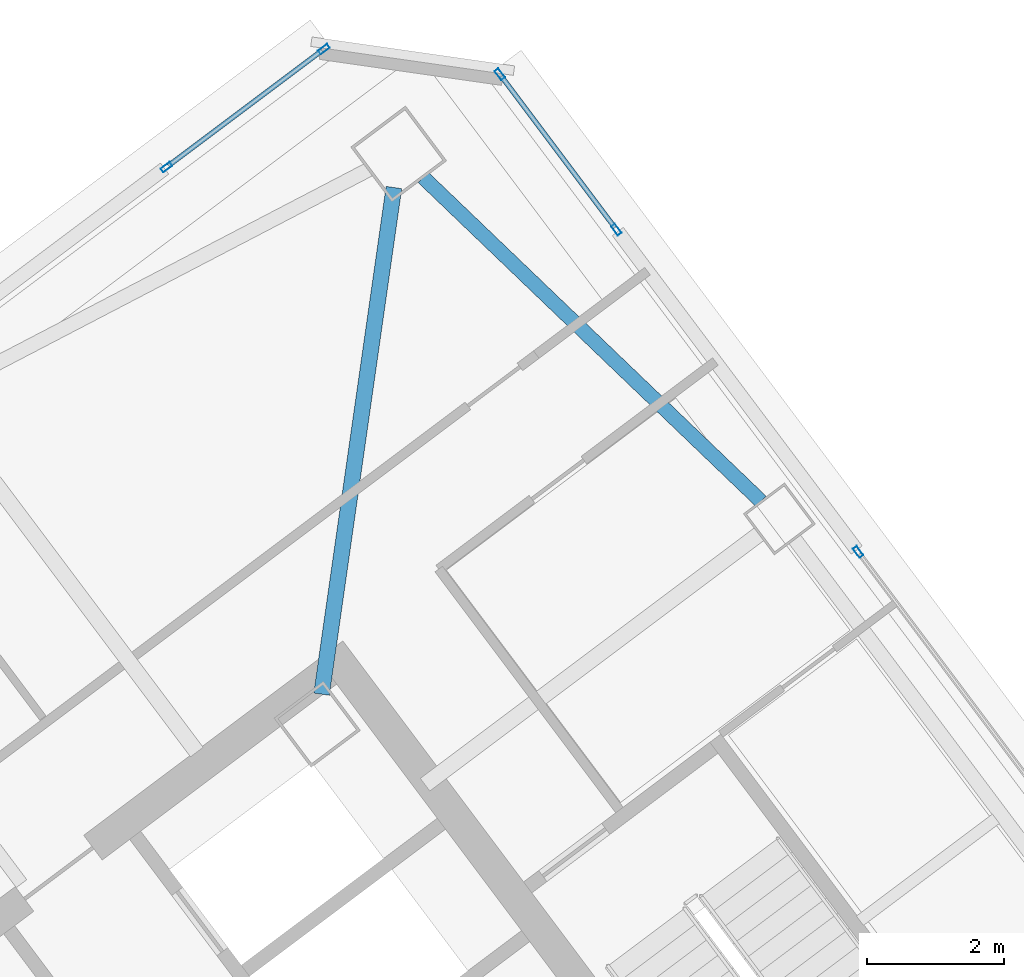
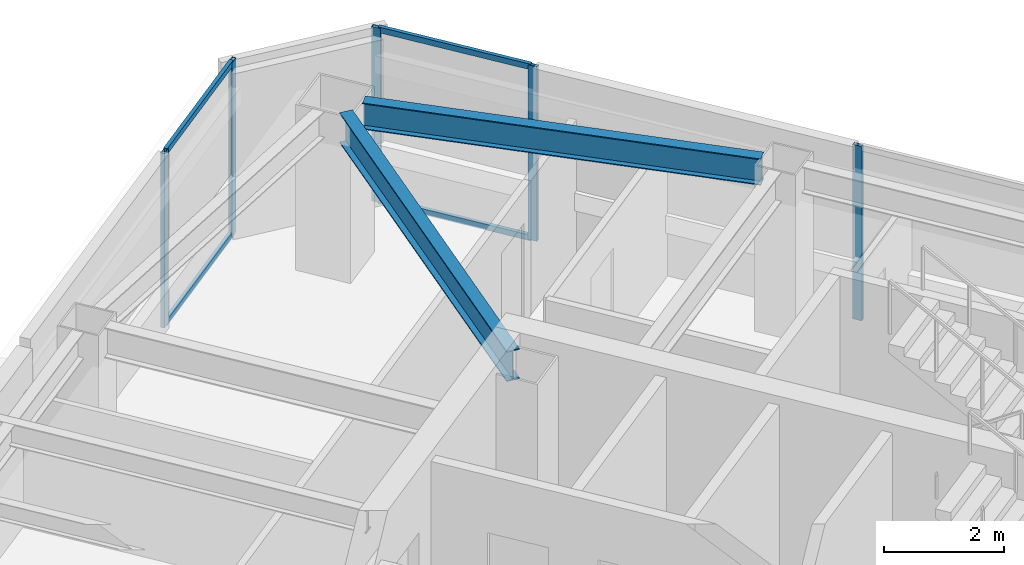
# One storey, part 24 of 36: 9 members, 2 beams, 3 elements without a shape of their own.
"""IFC4 building model written with IfcOpenShell, lengths in metres."""

import ifcopenshell
import ifcopenshell.guid

model = None  # the IFC model being written
_history = None  # IfcOwnerHistory: only IFC2X3 demands one
_inside = {}  # id of a spatial element -> (the spatial element, [elements in it])
_under = {}  # id of a project, library or spatial element -> (it, [spatial elements below it])
_declared = {}  # id of a project -> (the project, [libraries it declares])
_typed = {}  # id of a type object -> (the type object, [elements of that type])
_made_of = {}  # id of a material, layer set ... -> (it, [elements and type objects made of it])


def new_model(schema):
    """Start an empty IFC model of exactly this schema.

    Asked for "IFC4X3", IfcOpenShell would pick the latest addendum, in which some entities
    have other attributes; the version numbers below select the first issue.
    IFC2X3 requires an IfcOwnerHistory on every rooted entity: one is made here for all.
    """
    global model, _history
    if schema == "IFC4X3":
        model = ifcopenshell.file(schema_version=(4, 3, 0, 0))
    else:
        model = ifcopenshell.file(schema=schema)
    _inside.clear()
    _under.clear()
    _declared.clear()
    _typed.clear()
    _made_of.clear()
    _history = None
    if model.schema == "IFC2X3":
        org = make("IfcOrganization", Name="unknown")
        user = make(
            "IfcPersonAndOrganization",
            ThePerson=make("IfcPerson", FamilyName="unknown"),
            TheOrganization=org,
        )
        app = make(
            "IfcApplication",
            ApplicationDeveloper=org,
            Version="unknown",
            ApplicationFullName="unknown",
            ApplicationIdentifier="unknown",
        )
        _history = make(
            "IfcOwnerHistory",
            OwningUser=user,
            OwningApplication=app,
            ChangeAction="ADDED",
            CreationDate=0,
        )
    return model


def make(cls, **values):
    """One entity of the class cls with the attributes given. An attribute that is None is left unset."""
    return model.create_entity(
        cls, **{name: value for name, value in values.items() if value is not None}
    )


def rooted(cls, **values):
    """An entity with a GlobalId (a new one), such as an element, a storey or a relation."""
    return make(cls, GlobalId=ifcopenshell.guid.new(), OwnerHistory=_history, **values)


def si_unit(unit_type, name, prefix=None):
    """IfcSIUnit, for example si_unit("LENGTHUNIT", "METRE", prefix="MILLI")."""
    return make("IfcSIUnit", UnitType=unit_type, Prefix=prefix, Name=name)


def assignment(units):
    """IfcUnitAssignment: the units of a project."""
    return None if units is None else make("IfcUnitAssignment", Units=units)


def point(xyz):
    """IfcCartesianPoint."""
    return None if xyz is None else make("IfcCartesianPoint", Coordinates=xyz)


def direction(xyz):
    """IfcDirection."""
    return None if xyz is None else make("IfcDirection", DirectionRatios=xyz)


def frame(location, z_axis=None, x_axis=None):
    """IfcAxis2Placement3D, a coordinate frame: its origin and axes. An axis left out is left unset."""
    return make(
        "IfcAxis2Placement3D",
        Location=point(location),
        Axis=direction(z_axis),
        RefDirection=direction(x_axis),
    )


def frame_2d(location, x_axis=None):
    """IfcAxis2Placement2D, a coordinate frame in the plane: its origin and x axis."""
    return make(
        "IfcAxis2Placement2D", Location=point(location), RefDirection=direction(x_axis)
    )


def origin():
    """The frame at (0, 0, 0) with its axes left unset."""
    return frame((0.0, 0.0, 0.0))


def origin_2d():
    """The frame at (0, 0) in the plane with its x axis left unset."""
    return frame_2d((0.0, 0.0))


def place(relative_to, where):
    """IfcLocalPlacement: puts the frame where relative to a parent placement (None: the world)."""
    return make(
        "IfcLocalPlacement", PlacementRelTo=relative_to, RelativePlacement=where
    )


def context(
    kind, dimensions, precision=None, world=None, true_north=None, identifier=None
):
    """IfcGeometricRepresentationContext, for example the 3D "Model" context."""
    return make(
        "IfcGeometricRepresentationContext",
        ContextIdentifier=identifier,
        ContextType=kind,
        CoordinateSpaceDimension=dimensions,
        Precision=precision,
        WorldCoordinateSystem=world,
        TrueNorth=true_north,
    )


def subcontext(parent, identifier, kind, view, scale=None):
    """IfcGeometricRepresentationSubContext, for example "Body" below "Model"."""
    return make(
        "IfcGeometricRepresentationSubContext",
        ContextIdentifier=identifier,
        ContextType=kind,
        ParentContext=parent,
        TargetScale=scale,
        TargetView=view,
    )


def project(units=None, contexts=None):
    """IfcProject with its units and contexts."""
    return rooted(
        "IfcProject",
        Name="project",
        RepresentationContexts=contexts,
        UnitsInContext=assignment(units),
    )


def spatial(cls, under=None, at=None, **own):
    """A site, building, storey or space (cls), placed at a placement, below another one or the project."""
    s = rooted(cls, ObjectPlacement=at, **own)
    if under is not None:
        _under.setdefault(under.id(), (under, []))[1].append(s)
    return s


def profile(cls, at=None, kind="AREA", **sizes):
    """A parametric profile (cls). Its sizes go by their IFC names, for example OverallWidth=200.0."""
    return make(cls, ProfileType=kind, Position=at, **sizes)


def hollow_rectangle(**sizes):
    """IfcRectangleHollowProfileDef."""
    return profile("IfcRectangleHollowProfileDef", **sizes)


def i_section(**sizes):
    """IfcIShapeProfileDef."""
    return profile("IfcIShapeProfileDef", **sizes)


def extrude(swept, where, along, depth):
    """IfcExtrudedAreaSolid: the profile swept, set in the frame where, extruded along a direction by depth."""
    return make(
        "IfcExtrudedAreaSolid",
        SweptArea=swept,
        Position=where,
        ExtrudedDirection=direction(along),
        Depth=depth,
    )


def shape(context_of_items, identifier, shape_type, items):
    """IfcShapeRepresentation: the items that make up one representation, for example the "Body"."""
    return make(
        "IfcShapeRepresentation",
        ContextOfItems=context_of_items,
        RepresentationIdentifier=identifier,
        RepresentationType=shape_type,
        Items=items,
    )


def material(Name=None, Category=None):
    """IfcMaterial."""
    return make("IfcMaterial", Name=Name, Category=Category)


def material_profile(
    of_material, cross_section, Name=None, Category=None, Priority=None
):
    """IfcMaterialProfile: a cross section and its material."""
    return make(
        "IfcMaterialProfile",
        Name=Name,
        Material=of_material,
        Profile=cross_section,
        Priority=Priority,
        Category=Category,
    )


def profile_set(profiles, Name=None, composite=None):
    """IfcMaterialProfileSet."""
    return make(
        "IfcMaterialProfileSet",
        Name=Name,
        MaterialProfiles=profiles,
        CompositeProfile=composite,
    )


def made_of(thing, what):
    """Note that an element or type object is made of a material, layer set ...; save() writes the relation."""
    if what is not None:
        _made_of.setdefault(what.id(), (what, []))[1].append(thing)
    return thing


def type_object(cls, material=None, **own):
    """A type object (cls), such as IfcWallType, which elements share."""
    return made_of(rooted(cls, **own), material)


def element(
    cls,
    number,
    at=None,
    inside=None,
    cuts=None,
    type_object=None,
    material=None,
    context=None,
    identifier="Body",
    shape_type=None,
    held_by="IfcProductDefinitionShape",
    body=None,
    shapes=None,
    **own,
):
    """One element of the class cls, such as IfcWall. Its Tag is "e" and its number.

    at: its placement. inside: the storey or other place that contains it. cuts: it is an
    opening in that element (IfcRelVoidsElement). A single representation is given by context,
    identifier, shape_type and body (its items); several are given by shapes. held_by: the class
    of the entity that holds the representations. save() writes the other relations.
    """
    e = rooted(cls, Tag="e%d" % number, ObjectPlacement=at, **own)
    if body is not None:
        shapes = [shape(context, identifier, shape_type, body)]
    if shapes is not None:
        e.Representation = make(held_by, Representations=shapes)
    if inside is not None:
        _inside.setdefault(inside.id(), (inside, []))[1].append(e)
    if cuts is not None:
        rooted(
            "IfcRelVoidsElement", RelatingBuildingElement=cuts, RelatedOpeningElement=e
        )
    if type_object is not None:
        _typed.setdefault(type_object.id(), (type_object, []))[1].append(e)
    return made_of(e, material)


def aggregate(whole, parts):
    """IfcRelAggregates: a whole, such as a stair, and the parts it consists of."""
    return rooted("IfcRelAggregates", RelatingObject=whole, RelatedObjects=parts)


def save(model, path):
    """Write the relations noted so far, then the file.

    IfcRelAggregates (storeys below a building ...), IfcRelContainedInSpatialStructure (elements
    in a storey), IfcRelDefinesByType, IfcRelAssociatesMaterial and IfcRelDeclares: one each for
    every whole, place, type object, material and project.
    """
    for whole, parts in _under.values():
        aggregate(whole, parts)
    for where, things in _inside.values():
        rooted(
            "IfcRelContainedInSpatialStructure",
            RelatedElements=things,
            RelatingStructure=where,
        )
    for kind, things in _typed.values():
        rooted("IfcRelDefinesByType", RelatedObjects=things, RelatingType=kind)
    for what, things in _made_of.values():
        rooted("IfcRelAssociatesMaterial", RelatedObjects=things, RelatingMaterial=what)
    for by, libraries in _declared.values():
        rooted("IfcRelDeclares", RelatingContext=by, RelatedDefinitions=libraries)
    model.write(path)


model = new_model("IFC4")

# Units and contexts
model_context = context("Model", 3, precision=1e-05, world=origin(), true_north=direction((0.0, 1.0)))
body_context = subcontext(model_context, "Body", "Model", "MODEL_VIEW")
ifc_project = project(units=[si_unit("LENGTHUNIT", "METRE"), si_unit("AREAUNIT", "SQUARE_METRE"), si_unit("VOLUMEUNIT", "CUBIC_METRE"), si_unit("PLANEANGLEUNIT", "RADIAN"), si_unit("MASSUNIT", "GRAM", prefix="KILO")], contexts=[model_context])

# Site, building, storey
site_placement = place(None, origin())
site = spatial("IfcSite", under=ifc_project, at=site_placement, CompositionType="ELEMENT")
building_placement = place(site_placement, origin())
building = spatial("IfcBuilding", under=site, at=building_placement, Name="Tashvorn Skyway Center", CompositionType="ELEMENT")
storey_placement = place(building_placement, frame((0.0, 0.0, 236.14990234375)))
storey = spatial("IfcBuildingStorey", under=building, at=storey_placement, Name="L64", CompositionType="ELEMENT", Elevation=236.14990234375)

# Beams
ifc_material_1 = material(Name="Steel ASTM A992 Grade 50", Category="steel")
ifc_material_profile_1 = material_profile(ifc_material_1, i_section(OverallWidth=0.22998046875, OverallDepth=0.616943359375, WebThickness=0.01318359375, FlangeThickness=0.022216796875, at=origin_2d()), Name="W24X94")
ifc_profile_set_1 = profile_set([ifc_material_profile_1], Name="Steel ASTM A992 Grade 50")
beam_type_1 = type_object("IfcBeamType", Name="BM-BEAM-W24X94", PredefinedType="BEAM", material=ifc_profile_set_1)
beam_1_placement = place(storey_placement, frame((116.530029296875, 49.7099609375, 3.0615234375), z_axis=(-0.141430501853, -0.989948187102, 0.0), x_axis=(0.989948187102, -0.141430501853, 0.0)))
element("IfcBeam", 1, at=beam_1_placement, inside=storey, type_object=beam_type_1, Name="Tower 2 L64 Primary Floor Girder MC-NE", PredefinedType="BEAM", context=body_context, shape_type="SweptSolid", body=[
    extrude(i_section(OverallWidth=0.22998046875, OverallDepth=0.616943359375, WebThickness=0.01318359375, FlangeThickness=0.022216796875, at=origin_2d()), origin(), (0.0, 0.0, 1.0), 7.474609375),
])
ifc_material_profile_2 = material_profile(ifc_material_1, i_section(OverallWidth=0.2109375, OverallDepth=0.5390625, WebThickness=0.01171875, FlangeThickness=0.018798828125, at=origin_2d()), Name="W21X73")
ifc_profile_set_2 = profile_set([ifc_material_profile_2], Name="Steel ASTM A992 Grade 50")
beam_type_2 = type_object("IfcBeamType", Name="BM-SPANDREL-W21X73", PredefinedType="SPANDREL", material=ifc_profile_set_2)
beam_2_placement = place(storey_placement, frame((121.892822265625, 45.1259765625, 3.1005859375), z_axis=(-0.72187522213, 0.69202323926, 0.0), x_axis=(-0.69202323926, -0.72187522213, 0.0)))
element("IfcBeam", 2, at=beam_2_placement, inside=storey, type_object=beam_type_2, Name="Tower 2 L64 Spandrel Beam 06", PredefinedType="SPANDREL", context=body_context, shape_type="SweptSolid", body=[
    extrude(i_section(OverallWidth=0.2109375, OverallDepth=0.5390625, WebThickness=0.01171875, FlangeThickness=0.018798828125, at=origin_2d()), origin(), (0.0, 0.0, 1.0), 6.837158203125),
])

# Curtain wall, members
ifc_material_2 = material(Name="Thermally broken bronze-anodized aluminium 6063-T6", Category="aluminium")
curtain_wall_type = type_object("IfcCurtainWallType", Name="CW-CW-Z5", PredefinedType="NOTDEFINED", material=ifc_material_2)
curtain_wall_1_placement = place(storey_placement, origin())
curtain_wall_1 = element("IfcCurtainWall", 3, at=curtain_wall_1_placement, inside=storey, type_object=curtain_wall_type, Name="Tower 2 L64 North Curtain Wall R Glazing Group 1", PredefinedType="NOTDEFINED")
ifc_material_profile_3 = material_profile(ifc_material_2, hollow_rectangle(XDim=0.070068359375, YDim=0.1650390625, WallThickness=0.00390625, at=origin_2d()), Name="ALU-MULL-70x165")
ifc_profile_set_3 = profile_set([ifc_material_profile_3], Name="Thermally broken bronze-anodized aluminium 6063-T6")
member_type_1 = type_object("IfcMemberType", Name="CWM-CW-Z5", PredefinedType="MULLION", material=ifc_profile_set_3)
member_1_placement = place(storey_placement, frame((113.209228515625, 50.007080078125, 0.0), z_axis=(0.0, 0.0, 1.0), x_axis=(-0.599994564028, 0.80000407695, 0.0)))
member_1 = element("IfcMember", 4, at=member_1_placement, type_object=member_type_1, Name="CW-Z5 mullion 1", PredefinedType="MULLION", context=body_context, shape_type="SweptSolid", body=[
    extrude(hollow_rectangle(XDim=0.070068359375, YDim=0.1650390625, WallThickness=0.00390625, at=origin_2d()), origin(), (0.0, 0.0, 1.0), 3.550048828125),
])
member_2_placement = place(storey_placement, frame((115.508056640625, 51.73095703125, 0.0), z_axis=(0.0, 0.0, 1.0), x_axis=(-0.599994564028, 0.80000407695, 0.0)))
member_2 = element("IfcMember", 5, at=member_2_placement, type_object=member_type_1, Name="CW-Z5 mullion 2", PredefinedType="MULLION", context=body_context, shape_type="SweptSolid", body=[
    extrude(hollow_rectangle(XDim=0.070068359375, YDim=0.1650390625, WallThickness=0.00390625, at=origin_2d()), origin(), (0.0, 0.0, 1.0), 3.550048828125),
])

curtain_wall_2_placement = place(storey_placement, origin())
curtain_wall_2 = element("IfcCurtainWall", 6, at=curtain_wall_2_placement, inside=storey, type_object=curtain_wall_type, Name="Tower 2 L64 East Unitised Curtain Wall Glazing Group 1", PredefinedType="NOTDEFINED")
member_3_placement = place(storey_placement, frame((118.076904296875, 51.364013671875, 0.0), z_axis=(0.0, 0.0, 1.0), x_axis=(0.799995871508, 0.600005504617, 0.0)))
member_3 = element("IfcMember", 7, at=member_3_placement, type_object=member_type_1, Name="CW-Z5 mullion 1", PredefinedType="MULLION", context=body_context, shape_type="SweptSolid", body=[
    extrude(hollow_rectangle(XDim=0.070068359375, YDim=0.1650390625, WallThickness=0.00390625, at=origin_2d()), origin(), (0.0, 0.0, 1.0), 3.550048828125),
])
member_4_placement = place(storey_placement, frame((119.779052734375, 49.0947265625, 0.0), z_axis=(0.0, 0.0, 1.0), x_axis=(0.799995871508, 0.600005504617, 0.0)))
member_4 = element("IfcMember", 8, at=member_4_placement, type_object=member_type_1, Name="CW-Z5 mullion 2", PredefinedType="MULLION", context=body_context, shape_type="SweptSolid", body=[
    extrude(hollow_rectangle(XDim=0.070068359375, YDim=0.1650390625, WallThickness=0.00390625, at=origin_2d()), origin(), (0.0, 0.0, 1.0), 3.550048828125),
])

# Curtain wall, member
curtain_wall_3_placement = place(storey_placement, origin())
curtain_wall_3 = element("IfcCurtainWall", 9, at=curtain_wall_3_placement, inside=storey, type_object=curtain_wall_type, Name="Tower 2 L64 East Unitised Curtain Wall Glazing Group 2", PredefinedType="NOTDEFINED")
member_5_placement = place(storey_placement, frame((123.30908203125, 44.387939453125, 0.0), z_axis=(0.0, 0.0, 1.0), x_axis=(0.799999999998, 0.600000000002, 0.0)))
member_5 = element("IfcMember", 10, at=member_5_placement, type_object=member_type_1, Name="CW-Z5 mullion 1", PredefinedType="MULLION", context=body_context, shape_type="SweptSolid", body=[
    extrude(hollow_rectangle(XDim=0.070068359375, YDim=0.1650390625, WallThickness=0.00390625, at=origin_2d()), origin(), (0.0, 0.0, 1.0), 3.550048828125),
])
aggregate(curtain_wall_3, [member_5])

# Member
ifc_material_profile_4 = material_profile(ifc_material_2, hollow_rectangle(XDim=0.070068359375, YDim=0.114990234375, WallThickness=0.00390625, at=origin_2d()), Name="ALU-TRAN-70x115")
ifc_profile_set_4 = profile_set([ifc_material_profile_4], Name="Thermally broken bronze-anodized aluminium 6063-T6")
member_type_2 = type_object("IfcMemberType", Name="CWT-CW-Z5", PredefinedType="USERDEFINED", material=ifc_profile_set_4)
member_6_placement = place(storey_placement, frame((113.2373046875, 50.028076171875, 0.03515625), z_axis=(0.800020901432, 0.599972130412, 0.0), x_axis=(-0.599972130412, 0.800020901432, 0.0)))
member_6 = element("IfcMember", 11, at=member_6_placement, type_object=member_type_2, Name="CW-Z5 transom 1.1", ObjectType="TRANSOM", PredefinedType="USERDEFINED", context=body_context, shape_type="SweptSolid", body=[
    extrude(hollow_rectangle(XDim=0.070068359375, YDim=0.114990234375, WallThickness=0.00390625, at=origin_2d()), origin(), (0.0, 0.0, 1.0), 2.80322265625),
])

member_7_placement = place(storey_placement, frame((113.2373046875, 50.028076171875, 3.51513671875), z_axis=(0.800020901432, 0.599972130412, 0.0), x_axis=(-0.599972130412, 0.800020901432, 0.0)))
member_7 = element("IfcMember", 12, at=member_7_placement, type_object=member_type_2, Name="CW-Z5 transom 1.2", ObjectType="TRANSOM", PredefinedType="USERDEFINED", context=body_context, shape_type="SweptSolid", body=[
    extrude(hollow_rectangle(XDim=0.070068359375, YDim=0.114990234375, WallThickness=0.00390625, at=origin_2d()), origin(), (0.0, 0.0, 1.0), 2.80322265625),
])

aggregate(curtain_wall_1, [member_1, member_2, member_6, member_7])

member_8_placement = place(storey_placement, frame((118.097900390625, 51.3359375, 0.03515625), z_axis=(0.600070594204, -0.79994704948, 0.0), x_axis=(0.79994704948, 0.600070594204, 0.0)))
member_8 = element("IfcMember", 13, at=member_8_placement, type_object=member_type_2, Name="CW-Z5 transom 1.1", ObjectType="TRANSOM", PredefinedType="USERDEFINED", context=body_context, shape_type="SweptSolid", body=[
    extrude(hollow_rectangle(XDim=0.070068359375, YDim=0.114990234375, WallThickness=0.00390625, at=origin_2d()), origin(), (0.0, 0.0, 1.0), 2.7666015625),
])

member_9_placement = place(storey_placement, frame((118.097900390625, 51.3359375, 3.51513671875), z_axis=(0.600070594204, -0.79994704948, 0.0), x_axis=(0.79994704948, 0.600070594204, 0.0)))
member_9 = element("IfcMember", 14, at=member_9_placement, type_object=member_type_2, Name="CW-Z5 transom 1.2", ObjectType="TRANSOM", PredefinedType="USERDEFINED", context=body_context, shape_type="SweptSolid", body=[
    extrude(hollow_rectangle(XDim=0.070068359375, YDim=0.114990234375, WallThickness=0.00390625, at=origin_2d()), origin(), (0.0, 0.0, 1.0), 2.7666015625),
])

aggregate(curtain_wall_2, [member_3, member_4, member_8, member_9])

save(model, "model.ifc")
